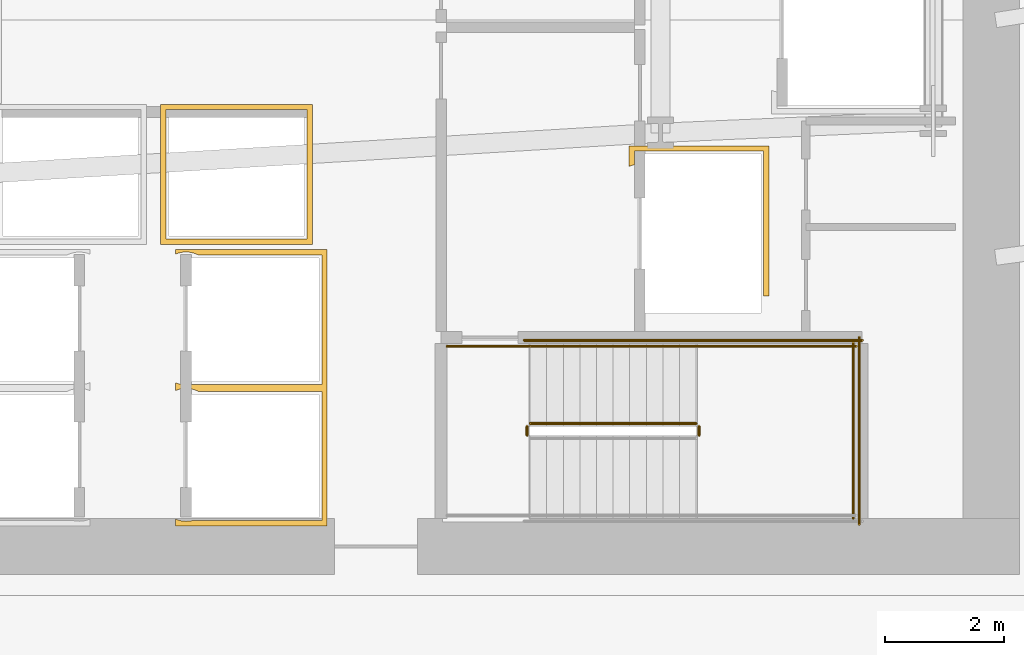
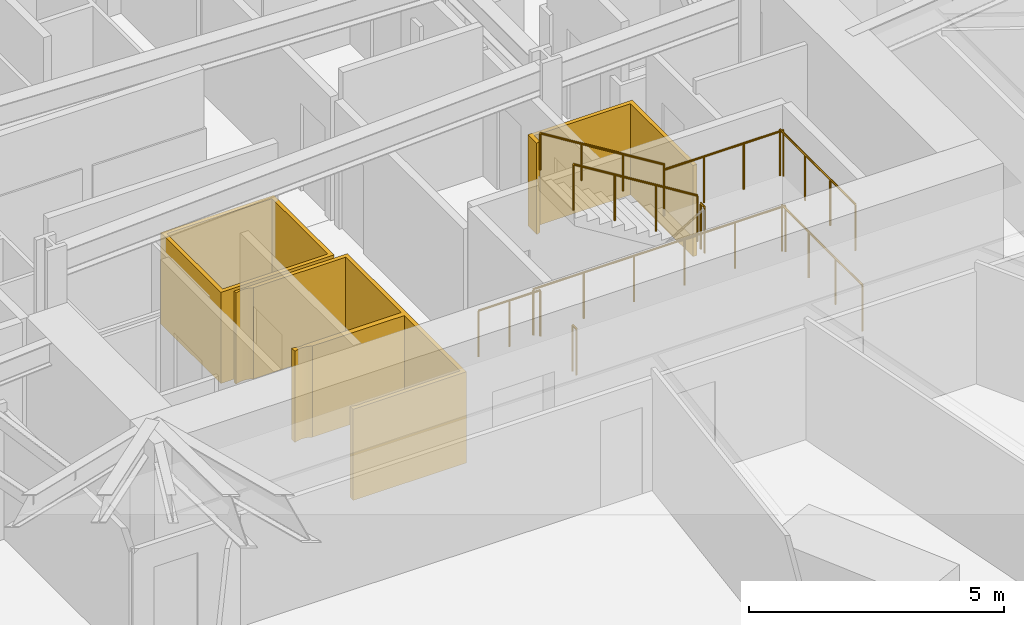
# One storey, part 14 of 18: 9 railings, 3 coverings.
"""IFC4 building model written with IfcOpenShell, lengths in metres."""

from ifc_helpers import new_model, si_unit, direction, frame, origin, origin_2d, place, context, subcontext, project, spatial, polyline, circle, outline, extrude, material, layer, layer_set, type_object, element, save


model = new_model("IFC4")

# Units and contexts
model_context = context("Model", 3, precision=1e-05, world=origin(), true_north=direction((0.0, 1.0)))
body_context = subcontext(model_context, "Body", "Model", "MODEL_VIEW")
ifc_project = project(units=[si_unit("LENGTHUNIT", "METRE"), si_unit("AREAUNIT", "SQUARE_METRE"), si_unit("VOLUMEUNIT", "CUBIC_METRE"), si_unit("PLANEANGLEUNIT", "RADIAN"), si_unit("MASSUNIT", "GRAM", prefix="KILO")], contexts=[model_context])

# Site, building, storey
site_placement = place(None, origin())
site = spatial("IfcSite", under=ifc_project, at=site_placement, CompositionType="ELEMENT")
building_placement = place(site_placement, origin())
building = spatial("IfcBuilding", under=site, at=building_placement, Name="Valkerne Bourse Tower", CompositionType="ELEMENT")
storey_placement = place(building_placement, frame((0.0, 0.0, 120.0)))
storey = spatial("IfcBuildingStorey", under=building, at=storey_placement, Name="L30", CompositionType="ELEMENT", Elevation=120.0)

# Coverings
ifc_material_1 = material(Name="Gypsum Shaftwall Liner Board", Category="gypsum")
ifc_layer = layer(ifc_material_1, 0.080078125)
ifc_layer_set = layer_set([ifc_layer], Name="Gypsum Shaftwall Liner Board")
covering_type = type_object("IfcCoveringType", Name="COV-SHF-CLAD", PredefinedType="CLADDING", material=ifc_layer_set)
covering_1_placement = place(storey_placement, origin())
element("IfcCovering", 1, at=covering_1_placement, inside=storey, type_object=covering_type, Name="L30 Hoistway & Riser Shaftwall Liner 03", PredefinedType="CLADDING", context=body_context, shape_type="SweptSolid", body=[
    extrude(outline(polyline([(44.47998046875, 23.219970703125), (41.919921875, 23.219970703125), (41.919921875, 25.580078125), (44.47998046875, 25.580078125), (44.47998046875, 23.219970703125)]), holes=[polyline([(42.010009765625, 25.489990234375), (42.010009765625, 23.31005859375), (44.389892578125, 23.31005859375), (44.389892578125, 25.489990234375), (42.010009765625, 25.489990234375)])]), origin(), (0.0, 0.0, 1.0), 2.179931640625),
])
covering_2_placement = place(storey_placement, origin())
element("IfcCovering", 2, at=covering_2_placement, inside=storey, type_object=covering_type, Name="L30 Hoistway & Riser Shaftwall Liner 06", PredefinedType="CLADDING", context=body_context, shape_type="SweptSolid", body=[
    extrude(outline(polyline([(42.169921875, 20.830078125), (42.169921875, 20.887939453125), (42.177734375, 20.88427734375), (42.219482421875, 20.869384765625), (42.26220703125, 20.858642578125), (42.305908203125, 20.852294921875), (42.35009765625, 20.85009765625), (42.39404296875, 20.852294921875), (42.437744140625, 20.858642578125), (42.443115234375, 20.860107421875), (44.639892578125, 20.860107421875), (44.639892578125, 23.0400390625), (42.555419921875, 23.0400390625), (42.522216796875, 23.0556640625), (42.480712890625, 23.070556640625), (42.437744140625, 23.081298828125), (42.39404296875, 23.087890625), (42.35009765625, 23.090087890625), (42.305908203125, 23.087890625), (42.26220703125, 23.081298828125), (42.219482421875, 23.070556640625), (42.177734375, 23.0556640625), (42.169921875, 23.052001953125), (42.169921875, 23.1298828125), (44.72998046875, 23.1298828125), (44.72998046875, 20.830078125), (44.72998046875, 20.77001953125), (44.72998046875, 18.469970703125), (42.169921875, 18.469970703125), (42.169921875, 18.587890625), (42.177734375, 18.584228515625), (42.219482421875, 18.5693359375), (42.26220703125, 18.55859375), (42.305908203125, 18.55224609375), (42.35009765625, 18.550048828125), (42.39404296875, 18.55224609375), (42.437744140625, 18.55859375), (42.443115234375, 18.56005859375), (44.639892578125, 18.56005859375), (44.639892578125, 20.739990234375), (42.555419921875, 20.739990234375), (42.522216796875, 20.755615234375), (42.480712890625, 20.7705078125), (42.437744140625, 20.781494140625), (42.39404296875, 20.787841796875), (42.35009765625, 20.7900390625), (42.305908203125, 20.787841796875), (42.26220703125, 20.781494140625), (42.219482421875, 20.7705078125), (42.177734375, 20.755615234375), (42.169921875, 20.752197265625), (42.169921875, 20.77001953125), (42.169921875, 20.830078125)])), origin(), (0.0, 0.0, 1.0), 2.179931640625),
])
covering_3_placement = place(storey_placement, origin())
element("IfcCovering", 3, at=covering_3_placement, inside=storey, type_object=covering_type, Name="L30 Hoistway & Riser Shaftwall Liner 07", PredefinedType="CLADDING", context=body_context, shape_type="SweptSolid", body=[
    extrude(outline(polyline([(52.179931640625, 22.35009765625), (52.090087890625, 22.35009765625), (52.090087890625, 24.7900390625), (49.909912109375, 24.7900390625), (49.909912109375, 24.560791015625), (49.869384765625, 24.550537109375), (49.827880859375, 24.53564453125), (49.820068359375, 24.531982421875), (49.820068359375, 24.8798828125), (52.179931640625, 24.8798828125), (52.179931640625, 22.35009765625)])), origin(), (0.0, 0.0, 1.0), 2.179931640625),
])

# Railings
ifc_material_2 = material(Name="Galvanised Painted Steel", Category="steel")
railing_type_1 = type_object("IfcRailingType", Name="RLG-ST-GUARD-1120", PredefinedType="GUARDRAIL", material=ifc_material_2)
railing_1_placement = place(storey_placement, frame((51.0, 20.0, 1.89990234375)))
element("IfcRailing", 4, at=railing_1_placement, inside=storey, type_object=railing_type_1, Name="L30 ST-1 stair guard 2", PredefinedType="GUARDRAIL", context=body_context, shape_type="SweptSolid", body=[
    extrude(circle(Radius=0.02392578125, at=origin_2d()), frame((0.0, 0.0, 1.09619140625), z_axis=(0.0, 1.0, 0.0), x_axis=(-1.0, 0.0, 0.0)), (0.0, 0.0, 1.0), 0.14990234375),
    extrude(circle(Radius=0.02099609375, at=origin_2d()), origin(), (0.0, 0.0, 1.0), 1.072021484375),
    extrude(circle(Radius=0.02099609375, at=origin_2d()), frame((0.0, 0.14990234375, 0.0)), (0.0, 0.0, 1.0), 1.072021484375),
])
railing_2_placement = place(storey_placement, frame((50.949951171875, 21.5, 1.89990234375)))
element("IfcRailing", 5, at=railing_2_placement, inside=storey, type_object=railing_type_1, Name="L30 ST-1 stair guard 4", PredefinedType="GUARDRAIL", context=body_context, shape_type="SweptSolid", body=[
    extrude(circle(Radius=0.02392578125, at=origin_2d()), frame((0.0, 0.0, 1.09619140625), z_axis=(1.0, 0.0, 0.0), x_axis=(0.0, 1.0, 0.0)), (0.0, 0.0, 1.0), 2.699951171875),
    extrude(circle(Radius=0.02099609375, at=origin_2d()), origin(), (0.0, 0.0, 1.0), 1.072021484375),
    extrude(circle(Radius=0.02099609375, at=origin_2d()), frame((0.89990234375, 0.0, 0.0)), (0.0, 0.0, 1.0), 1.072021484375),
    extrude(circle(Radius=0.02099609375, at=origin_2d()), frame((1.800048828125, 0.0, 0.0)), (0.0, 0.0, 1.0), 1.072021484375),
    extrude(circle(Radius=0.02099609375, at=origin_2d()), frame((2.699951171875, 0.0, 0.0)), (0.0, 0.0, 1.0), 1.072021484375),
])
railing_3_placement = place(storey_placement, frame((53.60009765625, 18.60009765625, 1.89990234375)))
element("IfcRailing", 6, at=railing_3_placement, inside=storey, type_object=railing_type_1, Name="L30 ST-1 stair guard 5", PredefinedType="GUARDRAIL", context=body_context, shape_type="SweptSolid", body=[
    extrude(circle(Radius=0.02392578125, at=origin_2d()), frame((0.0, 0.0, 1.09619140625), z_axis=(0.0, 1.0, 0.0), x_axis=(-1.0, 0.0, 0.0)), (0.0, 0.0, 1.0), 2.949951171875),
    extrude(circle(Radius=0.02099609375, at=origin_2d()), origin(), (0.0, 0.0, 1.0), 1.072021484375),
    extrude(circle(Radius=0.02099609375, at=origin_2d()), frame((0.0, 0.9833984375, 0.0)), (0.0, 0.0, 1.0), 1.072021484375),
    extrude(circle(Radius=0.02099609375, at=origin_2d()), frame((0.0, 1.966552734375, 0.0)), (0.0, 0.0, 1.0), 1.072021484375),
    extrude(circle(Radius=0.02099609375, at=origin_2d()), frame((0.0, 2.949951171875, 0.0)), (0.0, 0.0, 1.0), 1.072021484375),
])
railing_4_placement = place(storey_placement, frame((50.949951171875, 20.199951171875, 2.07275390625)))
element("IfcRailing", 7, at=railing_4_placement, inside=storey, type_object=railing_type_1, Name="L30 ST-1 stair guard 6", PredefinedType="GUARDRAIL", context=body_context, shape_type="SweptSolid", body=[
    extrude(circle(Radius=0.02392578125, at=origin_2d()), frame((0.0, 0.0, 1.09619140625), z_axis=(-0.851089632645, 0.0, 0.525020415988), x_axis=(0.0, -1.0, 0.0)), (0.0, 0.0, 1.0), 3.2900390625),
    extrude(circle(Radius=0.02099609375, at=origin_2d()), origin(), (0.0, 0.0, 1.0), 1.072021484375),
    extrude(circle(Radius=0.02099609375, at=origin_2d()), frame((-0.933349609375, 0.0, 0.57568359375)), (0.0, 0.0, 1.0), 1.072021484375),
    extrude(circle(Radius=0.02099609375, at=origin_2d()), frame((-1.86669921875, 0.0, 1.151611328125)), (0.0, 0.0, 1.0), 1.072021484375),
    extrude(circle(Radius=0.02099609375, at=origin_2d()), frame((-2.800048828125, 0.0, 1.727294921875)), (0.0, 0.0, 1.0), 1.072021484375),
])
railing_5_placement = place(storey_placement, frame((48.10009765625, 20.0, 0.0)))
element("IfcRailing", 8, at=railing_5_placement, inside=storey, type_object=railing_type_1, Name="L30 ST-1 stair guard 7", PredefinedType="GUARDRAIL", context=body_context, shape_type="SweptSolid", body=[
    extrude(circle(Radius=0.02392578125, at=origin_2d()), frame((0.0, 0.0, 1.09619140625), z_axis=(0.0, 1.0, 0.0), x_axis=(-1.0, 0.0, 0.0)), (0.0, 0.0, 1.0), 0.14990234375),
    extrude(circle(Radius=0.02099609375, at=origin_2d()), origin(), (0.0, 0.0, 1.0), 1.072021484375),
    extrude(circle(Radius=0.02099609375, at=origin_2d()), frame((0.0, 0.14990234375, 0.0)), (0.0, 0.0, 1.0), 1.072021484375),
])
railing_6_placement = place(storey_placement, frame((46.75, 21.5, 0.0)))
element("IfcRailing", 9, at=railing_6_placement, inside=storey, type_object=railing_type_1, Name="L30 ST-1 stair guard 9", PredefinedType="GUARDRAIL", context=body_context, shape_type="SweptSolid", body=[
    extrude(circle(Radius=0.02392578125, at=origin_2d()), frame((0.0, 0.0, 1.09619140625), z_axis=(1.0, 0.0, 0.0), x_axis=(0.0, 1.0, 0.0)), (0.0, 0.0, 1.0), 1.39990234375),
    extrude(circle(Radius=0.02099609375, at=origin_2d()), origin(), (0.0, 0.0, 1.0), 1.072021484375),
    extrude(circle(Radius=0.02099609375, at=origin_2d()), frame((0.699951171875, 0.0, 0.0)), (0.0, 0.0, 1.0), 1.072021484375),
    extrude(circle(Radius=0.02099609375, at=origin_2d()), frame((1.39990234375, 0.0, 0.0)), (0.0, 0.0, 1.0), 1.072021484375),
])
railing_7_placement = place(storey_placement, frame((48.050048828125, 21.60009765625, 0.0)))
element("IfcRailing", 10, at=railing_7_placement, inside=storey, type_object=railing_type_1, Name="L30 ST-1 stair guard 11", PredefinedType="GUARDRAIL", context=body_context, shape_type="SweptSolid", body=[
    extrude(circle(Radius=0.02392578125, at=origin_2d()), frame((0.0, 0.0, 1.09619140625), z_axis=(1.0, 0.0, 0.0), x_axis=(0.0, 1.0, 0.0)), (0.0, 0.0, 1.0), 5.699951171875),
    extrude(circle(Radius=0.02099609375, at=origin_2d()), origin(), (0.0, 0.0, 1.0), 1.072021484375),
    extrude(circle(Radius=0.02099609375, at=origin_2d()), frame((1.139892578125, 0.0, 0.0)), (0.0, 0.0, 1.0), 1.072021484375),
    extrude(circle(Radius=0.02099609375, at=origin_2d()), frame((2.280029296875, 0.0, 0.0)), (0.0, 0.0, 1.0), 1.072021484375),
    extrude(circle(Radius=0.02099609375, at=origin_2d()), frame((3.419921875, 0.0, 0.0)), (0.0, 0.0, 1.0), 1.072021484375),
    extrude(circle(Radius=0.02099609375, at=origin_2d()), frame((4.56005859375, 0.0, 0.0)), (0.0, 0.0, 1.0), 1.072021484375),
    extrude(circle(Radius=0.02099609375, at=origin_2d()), frame((5.699951171875, 0.0, 0.0)), (0.0, 0.0, 1.0), 1.072021484375),
])
railing_8_placement = place(storey_placement, frame((53.699951171875, 18.5, 0.0)))
element("IfcRailing", 11, at=railing_8_placement, inside=storey, type_object=railing_type_1, Name="L30 ST-1 stair guard 12", PredefinedType="GUARDRAIL", context=body_context, shape_type="SweptSolid", body=[
    extrude(circle(Radius=0.02392578125, at=origin_2d()), frame((0.0, 0.0, 1.09619140625), z_axis=(0.0, 1.0, 0.0), x_axis=(-1.0, 0.0, 0.0)), (0.0, 0.0, 1.0), 3.14990234375),
    extrude(circle(Radius=0.02099609375, at=origin_2d()), origin(), (0.0, 0.0, 1.0), 1.072021484375),
    extrude(circle(Radius=0.02099609375, at=origin_2d()), frame((0.0, 1.050048828125, 0.0)), (0.0, 0.0, 1.0), 1.072021484375),
    extrude(circle(Radius=0.02099609375, at=origin_2d()), frame((0.0, 2.099853515625, 0.0)), (0.0, 0.0, 1.0), 1.072021484375),
    extrude(circle(Radius=0.02099609375, at=origin_2d()), frame((0.0, 3.14990234375, 0.0)), (0.0, 0.0, 1.0), 1.072021484375),
])
ifc_material_3 = material(Name="Stainless Steel AISI 316", Category="steel")
railing_type_2 = type_object("IfcRailingType", Name="RLG-ST-HANDRAIL-900", PredefinedType="HANDRAIL", material=ifc_material_3)
railing_9_placement = place(storey_placement, frame((50.949951171875, 21.5, 2.245361328125)))
element("IfcRailing", 12, at=railing_9_placement, inside=storey, type_object=railing_type_2, Name="L30 ST-1 stair handrail 2", PredefinedType="HANDRAIL", context=body_context, shape_type="SweptSolid", body=[
    extrude(circle(Radius=0.02392578125, at=origin_2d()), frame((0.0, 0.0, 0.8759765625), z_axis=(-0.851089632645, 0.0, 0.525020415988), x_axis=(0.0, -1.0, 0.0)), (0.0, 0.0, 1.0), 3.2900390625),
    extrude(circle(Radius=0.02099609375, at=origin_2d()), origin(), (0.0, 0.0, 1.0), 0.851806640625),
    extrude(circle(Radius=0.02099609375, at=origin_2d()), frame((-0.933349609375, 0.0, 0.57568359375)), (0.0, 0.0, 1.0), 0.851806640625),
    extrude(circle(Radius=0.02099609375, at=origin_2d()), frame((-1.86669921875, 0.0, 1.151611328125)), (0.0, 0.0, 1.0), 0.851806640625),
    extrude(circle(Radius=0.02099609375, at=origin_2d()), frame((-2.800048828125, 0.0, 1.727294921875)), (0.0, 0.0, 1.0), 0.851806640625),
])

save(model, "model.ifc")
